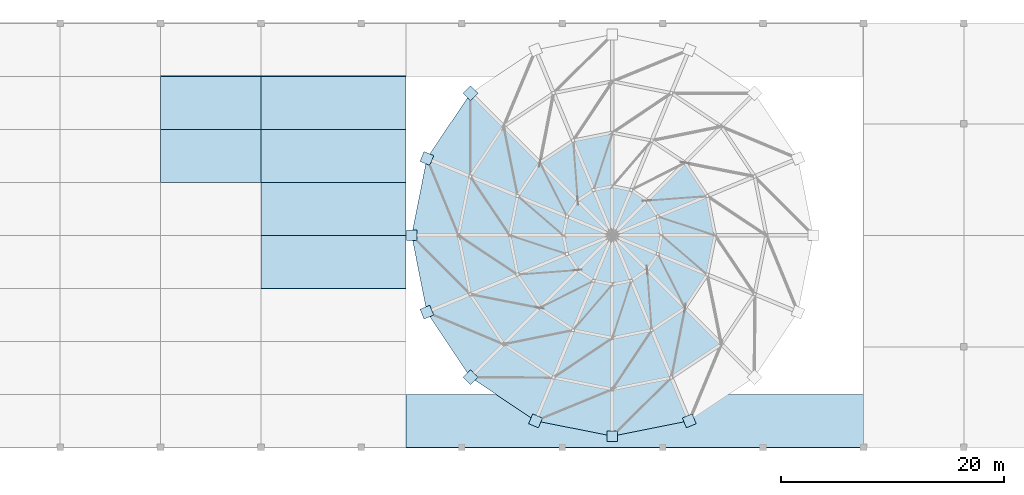
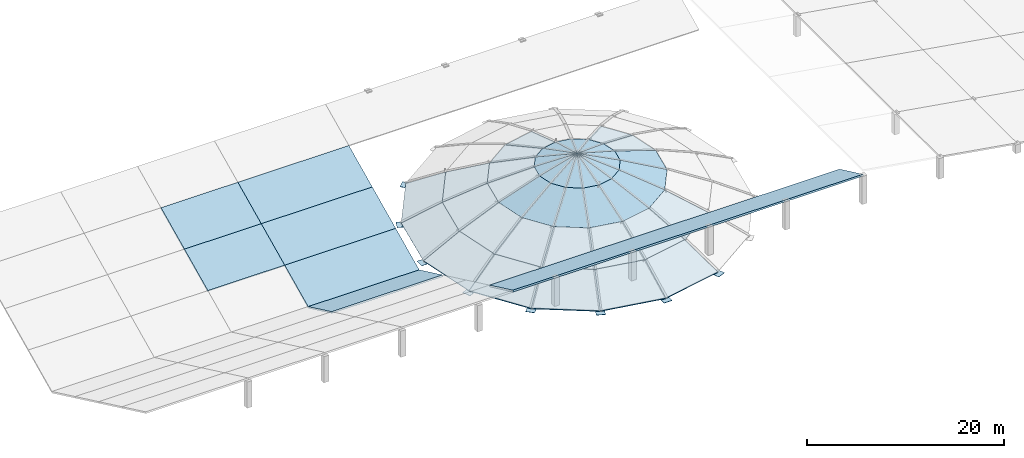
# One storey, part 4 of 7: 52 slabs, 8 plates.
"""IFC4 building model written with IfcOpenShell, lengths in metres."""

import ifcopenshell
import ifcopenshell.guid

model = None  # the IFC model being written
_history = None  # IfcOwnerHistory: only IFC2X3 demands one
_inside = {}  # id of a spatial element -> (the spatial element, [elements in it])
_under = {}  # id of a project, library or spatial element -> (it, [spatial elements below it])
_declared = {}  # id of a project -> (the project, [libraries it declares])
_typed = {}  # id of a type object -> (the type object, [elements of that type])
_made_of = {}  # id of a material, layer set ... -> (it, [elements and type objects made of it])


def new_model(schema):
    """Start an empty IFC model of exactly this schema.

    Asked for "IFC4X3", IfcOpenShell would pick the latest addendum, in which some entities
    have other attributes; the version numbers below select the first issue.
    IFC2X3 requires an IfcOwnerHistory on every rooted entity: one is made here for all.
    """
    global model, _history
    if schema == "IFC4X3":
        model = ifcopenshell.file(schema_version=(4, 3, 0, 0))
    else:
        model = ifcopenshell.file(schema=schema)
    _inside.clear()
    _under.clear()
    _declared.clear()
    _typed.clear()
    _made_of.clear()
    _history = None
    if model.schema == "IFC2X3":
        org = make("IfcOrganization", Name="unknown")
        user = make(
            "IfcPersonAndOrganization",
            ThePerson=make("IfcPerson", FamilyName="unknown"),
            TheOrganization=org,
        )
        app = make(
            "IfcApplication",
            ApplicationDeveloper=org,
            Version="unknown",
            ApplicationFullName="unknown",
            ApplicationIdentifier="unknown",
        )
        _history = make(
            "IfcOwnerHistory",
            OwningUser=user,
            OwningApplication=app,
            ChangeAction="ADDED",
            CreationDate=0,
        )
    return model


def make(cls, **values):
    """One entity of the class cls with the attributes given. An attribute that is None is left unset."""
    return model.create_entity(
        cls, **{name: value for name, value in values.items() if value is not None}
    )


def rooted(cls, **values):
    """An entity with a GlobalId (a new one), such as an element, a storey or a relation."""
    return make(cls, GlobalId=ifcopenshell.guid.new(), OwnerHistory=_history, **values)


def si_unit(unit_type, name, prefix=None):
    """IfcSIUnit, for example si_unit("LENGTHUNIT", "METRE", prefix="MILLI")."""
    return make("IfcSIUnit", UnitType=unit_type, Prefix=prefix, Name=name)


def assignment(units):
    """IfcUnitAssignment: the units of a project."""
    return None if units is None else make("IfcUnitAssignment", Units=units)


def point(xyz):
    """IfcCartesianPoint."""
    return None if xyz is None else make("IfcCartesianPoint", Coordinates=xyz)


def direction(xyz):
    """IfcDirection."""
    return None if xyz is None else make("IfcDirection", DirectionRatios=xyz)


def frame(location, z_axis=None, x_axis=None):
    """IfcAxis2Placement3D, a coordinate frame: its origin and axes. An axis left out is left unset."""
    return make(
        "IfcAxis2Placement3D",
        Location=point(location),
        Axis=direction(z_axis),
        RefDirection=direction(x_axis),
    )


def frame_2d(location, x_axis=None):
    """IfcAxis2Placement2D, a coordinate frame in the plane: its origin and x axis."""
    return make(
        "IfcAxis2Placement2D", Location=point(location), RefDirection=direction(x_axis)
    )


def origin():
    """The frame at (0, 0, 0) with its axes left unset."""
    return frame((0.0, 0.0, 0.0))


def origin_2d():
    """The frame at (0, 0) in the plane with its x axis left unset."""
    return frame_2d((0.0, 0.0))


def place(relative_to, where):
    """IfcLocalPlacement: puts the frame where relative to a parent placement (None: the world)."""
    return make(
        "IfcLocalPlacement", PlacementRelTo=relative_to, RelativePlacement=where
    )


def context(
    kind, dimensions, precision=None, world=None, true_north=None, identifier=None
):
    """IfcGeometricRepresentationContext, for example the 3D "Model" context."""
    return make(
        "IfcGeometricRepresentationContext",
        ContextIdentifier=identifier,
        ContextType=kind,
        CoordinateSpaceDimension=dimensions,
        Precision=precision,
        WorldCoordinateSystem=world,
        TrueNorth=true_north,
    )


def subcontext(parent, identifier, kind, view, scale=None):
    """IfcGeometricRepresentationSubContext, for example "Body" below "Model"."""
    return make(
        "IfcGeometricRepresentationSubContext",
        ContextIdentifier=identifier,
        ContextType=kind,
        ParentContext=parent,
        TargetScale=scale,
        TargetView=view,
    )


def project(units=None, contexts=None):
    """IfcProject with its units and contexts."""
    return rooted(
        "IfcProject",
        Name="project",
        RepresentationContexts=contexts,
        UnitsInContext=assignment(units),
    )


def spatial(cls, under=None, at=None, **own):
    """A site, building, storey or space (cls), placed at a placement, below another one or the project."""
    s = rooted(cls, ObjectPlacement=at, **own)
    if under is not None:
        _under.setdefault(under.id(), (under, []))[1].append(s)
    return s


def polyline(points):
    """IfcPolyline through the points."""
    return make("IfcPolyline", Points=[point(p) for p in points])


def profile(cls, at=None, kind="AREA", **sizes):
    """A parametric profile (cls). Its sizes go by their IFC names, for example OverallWidth=200.0."""
    return make(cls, ProfileType=kind, Position=at, **sizes)


def rectangle(**sizes):
    """IfcRectangleProfileDef."""
    return profile("IfcRectangleProfileDef", **sizes)


def outline(outer, holes=None, kind="AREA"):
    """IfcArbitraryClosedProfileDef: a profile drawn as a closed curve; with holes, ...WithVoids."""
    if holes is None:
        return make("IfcArbitraryClosedProfileDef", ProfileType=kind, OuterCurve=outer)
    return make(
        "IfcArbitraryProfileDefWithVoids",
        ProfileType=kind,
        OuterCurve=outer,
        InnerCurves=holes,
    )


def extrude(swept, where, along, depth):
    """IfcExtrudedAreaSolid: the profile swept, set in the frame where, extruded along a direction by depth."""
    return make(
        "IfcExtrudedAreaSolid",
        SweptArea=swept,
        Position=where,
        ExtrudedDirection=direction(along),
        Depth=depth,
    )


def shape(context_of_items, identifier, shape_type, items):
    """IfcShapeRepresentation: the items that make up one representation, for example the "Body"."""
    return make(
        "IfcShapeRepresentation",
        ContextOfItems=context_of_items,
        RepresentationIdentifier=identifier,
        RepresentationType=shape_type,
        Items=items,
    )


def material(Name=None, Category=None):
    """IfcMaterial."""
    return make("IfcMaterial", Name=Name, Category=Category)


def layer(
    of_material, thickness, ventilated=None, Name=None, Category=None, Priority=None
):
    """IfcMaterialLayer: one layer of a wall or slab, of a material (None: an air gap)."""
    return make(
        "IfcMaterialLayer",
        Material=of_material,
        LayerThickness=thickness,
        IsVentilated=ventilated,
        Name=Name,
        Category=Category,
        Priority=Priority,
    )


def layer_set(layers, Name=None):
    """IfcMaterialLayerSet."""
    return make("IfcMaterialLayerSet", MaterialLayers=layers, LayerSetName=Name)


def made_of(thing, what):
    """Note that an element or type object is made of a material, layer set ...; save() writes the relation."""
    if what is not None:
        _made_of.setdefault(what.id(), (what, []))[1].append(thing)
    return thing


def type_object(cls, material=None, **own):
    """A type object (cls), such as IfcWallType, which elements share."""
    return made_of(rooted(cls, **own), material)


def element(
    cls,
    number,
    at=None,
    inside=None,
    cuts=None,
    type_object=None,
    material=None,
    context=None,
    identifier="Body",
    shape_type=None,
    held_by="IfcProductDefinitionShape",
    body=None,
    shapes=None,
    **own,
):
    """One element of the class cls, such as IfcWall. Its Tag is "e" and its number.

    at: its placement. inside: the storey or other place that contains it. cuts: it is an
    opening in that element (IfcRelVoidsElement). A single representation is given by context,
    identifier, shape_type and body (its items); several are given by shapes. held_by: the class
    of the entity that holds the representations. save() writes the other relations.
    """
    e = rooted(cls, Tag="e%d" % number, ObjectPlacement=at, **own)
    if body is not None:
        shapes = [shape(context, identifier, shape_type, body)]
    if shapes is not None:
        e.Representation = make(held_by, Representations=shapes)
    if inside is not None:
        _inside.setdefault(inside.id(), (inside, []))[1].append(e)
    if cuts is not None:
        rooted(
            "IfcRelVoidsElement", RelatingBuildingElement=cuts, RelatedOpeningElement=e
        )
    if type_object is not None:
        _typed.setdefault(type_object.id(), (type_object, []))[1].append(e)
    return made_of(e, material)


def aggregate(whole, parts):
    """IfcRelAggregates: a whole, such as a stair, and the parts it consists of."""
    return rooted("IfcRelAggregates", RelatingObject=whole, RelatedObjects=parts)


def save(model, path):
    """Write the relations noted so far, then the file.

    IfcRelAggregates (storeys below a building ...), IfcRelContainedInSpatialStructure (elements
    in a storey), IfcRelDefinesByType, IfcRelAssociatesMaterial and IfcRelDeclares: one each for
    every whole, place, type object, material and project.
    """
    for whole, parts in _under.values():
        aggregate(whole, parts)
    for where, things in _inside.values():
        rooted(
            "IfcRelContainedInSpatialStructure",
            RelatedElements=things,
            RelatingStructure=where,
        )
    for kind, things in _typed.values():
        rooted("IfcRelDefinesByType", RelatedObjects=things, RelatingType=kind)
    for what, things in _made_of.values():
        rooted("IfcRelAssociatesMaterial", RelatedObjects=things, RelatingMaterial=what)
    for by, libraries in _declared.values():
        rooted("IfcRelDeclares", RelatingContext=by, RelatedDefinitions=libraries)
    model.write(path)


model = new_model("IFC4")

# Units and contexts
model_context = context("Model", 3, precision=1e-05, world=origin(), true_north=direction((0.0, 1.0)))
body_context = subcontext(model_context, "Body", "Model", "MODEL_VIEW")
ifc_project = project(units=[si_unit("LENGTHUNIT", "METRE"), si_unit("AREAUNIT", "SQUARE_METRE"), si_unit("VOLUMEUNIT", "CUBIC_METRE"), si_unit("PLANEANGLEUNIT", "RADIAN"), si_unit("MASSUNIT", "GRAM", prefix="KILO")], contexts=[model_context])

# Site, building, storey
site_placement = place(None, origin())
site = spatial("IfcSite", under=ifc_project, at=site_placement, CompositionType="ELEMENT")
building_placement = place(site_placement, origin())
building = spatial("IfcBuilding", under=site, at=building_placement, Name="Miravela Opera House", CompositionType="ELEMENT")
storey_placement = place(building_placement, frame((0.0, 0.0, 30.760009765625)))
storey = spatial("IfcBuildingStorey", under=building, at=storey_placement, Name="RF", CompositionType="ELEMENT", Elevation=30.760009765625)

# Plates
ifc_material_1 = material(Name="Structural steel ASTM A572 Gr. 50", Category="steel")
ifc_layer_1 = layer(ifc_material_1, 0.031982421875)
ifc_layer_set_1 = layer_set([ifc_layer_1])
plate_type = type_object("IfcPlateType", Name="STR-PL-BASE-950X950X32", PredefinedType="USERDEFINED", material=ifc_layer_set_1)
for number, where, z_axis, x_axis, name in (
    (1, (63.772216796875, 68.727783203125, -4.755859375), (0.0, 0.0, 1.0), (-0.707106781187, 0.707106781187, 0.0), "Dome Radial Rib Shoe Base Plate 07"),
    (2, (59.8701171875, 62.88818359375, -4.755859375), (0.0, 0.0, 1.0), (-0.923879532511, 0.382683432365, 0.0), "Dome Radial Rib Shoe Base Plate 08"),
    (3, (58.5, 56.0, -4.755859375), (0.0, 0.0, 1.0), (-1.0, 0.0, 0.0), "Dome Radial Rib Shoe Base Plate 09"),
    (4, (59.8701171875, 49.11181640625, -4.755859375), (0.0, 0.0, 1.0), (-0.923879532511, -0.382683432365, 0.0), "Dome Radial Rib Shoe Base Plate 10"),
    (5, (63.772216796875, 43.272216796875, -4.755859375), (0.0, 0.0, 1.0), (-0.707106781187, -0.707106781187, 0.0), "Dome Radial Rib Shoe Base Plate 11"),
    (6, (69.61181640625, 39.3701171875, -4.755859375), (0.0, 0.0, 1.0), (-0.382683432365, -0.923879532511, 0.0), "Dome Radial Rib Shoe Base Plate 12"),
    (7, (76.5, 38.0, -4.755859375), (0.0, 0.0, 1.0), (0.0, -1.0, 0.0), "Dome Radial Rib Shoe Base Plate 13"),
    (8, (83.38818359375, 39.3701171875, -4.755859375), (0.0, 0.0, 1.0), (0.382683432365, -0.923879532511, 0.0), "Dome Radial Rib Shoe Base Plate 14"),
):
    element("IfcPlate", number, at=place(storey_placement, frame(where, z_axis=z_axis, x_axis=x_axis)), inside=storey, type_object=plate_type, Name=name, ObjectType="BASE PLATE", PredefinedType="USERDEFINED", context=body_context, shape_type="SweptSolid", body=[
        extrude(rectangle(XDim=0.949951171875, YDim=0.949951171875, at=origin_2d()), origin(), (0.0, 0.0, 1.0), 0.031982421875),
    ])

# Slabs
ifc_material_2 = material(Name="Concrete C40/50", Category="concrete")
ifc_layer_2 = layer(ifc_material_2, 0.179931640625)
ifc_layer_set_2 = layer_set([ifc_layer_2])
slab_type_1 = type_object("IfcSlabType", Name="STR-ROOF-DOME-180", PredefinedType="ROOF", material=ifc_layer_set_2)
slab_1_placement = place(storey_placement, frame((63.772216796875, 68.727783203125, -4.56005859375), z_axis=(-0.39169699026, 0.26173074797, 0.882083036561), x_axis=(-0.555588189725, -0.831457613722, -4.759863e-06)))
element("IfcSlab", 9, at=slab_1_placement, inside=storey, type_object=slab_type_1, Name="Dome Shell Roof Facet Ring 1 Sector 07", PredefinedType="ROOF", context=body_context, shape_type="SweptSolid", body=[
    extrude(outline(polyline([(0.0, 0.0), (7.023340014399192, 0.0), (6.203741355347861, 4.669940394733152), (0.8192462847606585, 4.669815027829243), (0.0, 0.0)])), origin(), (0.0, 0.0, -1.0), 0.179931640625),
])
slab_2_placement = place(storey_placement, frame((59.8701171875, 62.88818359375, -4.56005859375), z_axis=(-0.462034391653, 0.091906329486, 0.882086984106), x_axis=(-0.195088262972, -0.980785689965, 3.316993e-06)))
element("IfcSlab", 10, at=slab_2_placement, inside=storey, type_object=slab_type_1, Name="Dome Shell Roof Facet Ring 1 Sector 08", PredefinedType="ROOF", context=body_context, shape_type="SweptSolid", body=[
    extrude(outline(polyline([(0.0, 0.0), (7.023125680777193, -2.220446049250313e-16), (6.203771799313913, 4.669907303255811), (0.8192893639634973, 4.669994667139817), (0.0, 0.0)])), origin(), (0.0, 0.0, -1.0), 0.179931640625),
])
slab_3_placement = place(storey_placement, frame((58.5, 56.0, -4.56005859375), z_axis=(-0.462034391653, -0.091906329486, 0.882086984106), x_axis=(0.195088262972, -0.980785689965, -3.316993e-06)))
element("IfcSlab", 11, at=slab_3_placement, inside=storey, type_object=slab_type_1, Name="Dome Shell Roof Facet Ring 1 Sector 09", PredefinedType="ROOF", context=body_context, shape_type="SweptSolid", body=[
    extrude(outline(polyline([(0.0, 0.0), (7.023125680777193, 2.220446049250313e-16), (6.203836316813696, 4.669994667139818), (0.8193538814632796, 4.669907303255811), (0.0, 0.0)])), origin(), (0.0, 0.0, -1.0), 0.179931640625),
])
slab_4_placement = place(storey_placement, frame((59.8701171875, 49.11181640625, -4.56005859375), z_axis=(-0.39169699026, -0.26173074797, 0.882083036561), x_axis=(0.555588189725, -0.831457613722, 4.759863e-06)))
element("IfcSlab", 12, at=slab_4_placement, inside=storey, type_object=slab_type_1, Name="Dome Shell Roof Facet Ring 1 Sector 10", PredefinedType="ROOF", context=body_context, shape_type="SweptSolid", body=[
    extrude(outline(polyline([(0.0, 0.0), (7.023340014399192, 0.0), (6.204093729638533, 4.669815027829243), (0.8195986590513307, 4.669940394733152), (0.0, 0.0)])), origin(), (0.0, 0.0, -1.0), 0.179931640625),
])
slab_5_placement = place(storey_placement, frame((63.772216796875, 43.272216796875, -4.56005859375), z_axis=(-0.26173074797, -0.39169699026, 0.882083036561), x_axis=(0.831457613722, -0.555588189725, -4.759863e-06)))
element("IfcSlab", 13, at=slab_5_placement, inside=storey, type_object=slab_type_1, Name="Dome Shell Roof Facet Ring 1 Sector 11", PredefinedType="ROOF", context=body_context, shape_type="SweptSolid", body=[
    extrude(outline(polyline([(0.0, 0.0), (7.023340014399192, 0.0), (6.203741355347861, 4.669940394733152), (0.8192462847606585, 4.669815027829243), (0.0, 0.0)])), origin(), (0.0, 0.0, -1.0), 0.179931640625),
])
slab_6_placement = place(storey_placement, frame((69.61181640625, 39.3701171875, -4.56005859375), z_axis=(-0.091906329486, -0.462034391653, 0.882086984106), x_axis=(0.980785689965, -0.195088262972, 3.316993e-06)))
element("IfcSlab", 14, at=slab_6_placement, inside=storey, type_object=slab_type_1, Name="Dome Shell Roof Facet Ring 1 Sector 12", PredefinedType="ROOF", context=body_context, shape_type="SweptSolid", body=[
    extrude(outline(polyline([(0.0, 0.0), (7.023125680777193, -2.220446049250313e-16), (6.203771799313913, 4.669907303255811), (0.8192893639634973, 4.669994667139817), (0.0, 0.0)])), origin(), (0.0, 0.0, -1.0), 0.179931640625),
])
slab_7_placement = place(storey_placement, frame((76.5, 38.0, -4.56005859375), z_axis=(0.091906329486, -0.462034391653, 0.882086984106), x_axis=(0.980785689965, 0.195088262972, -3.316993e-06)))
element("IfcSlab", 15, at=slab_7_placement, inside=storey, type_object=slab_type_1, Name="Dome Shell Roof Facet Ring 1 Sector 13", PredefinedType="ROOF", context=body_context, shape_type="SweptSolid", body=[
    extrude(outline(polyline([(0.0, 0.0), (7.023125680777193, 2.220446049250313e-16), (6.203836316813696, 4.669994667139818), (0.8193538814632796, 4.669907303255811), (0.0, 0.0)])), origin(), (0.0, 0.0, -1.0), 0.179931640625),
])
slab_8_placement = place(storey_placement, frame((66.741943359375, 65.758056640625, -2.360107421875), z_axis=(-0.329911320057, 0.22044462187, 0.917912136093), x_axis=(-0.555570003077, -0.831469765933, 4.581101e-06)))
element("IfcSlab", 16, at=slab_8_placement, inside=storey, type_object=slab_type_1, Name="Dome Shell Roof Facet Ring 2 Sector 07", PredefinedType="ROOF", context=body_context, shape_type="SweptSolid", body=[
    extrude(outline(polyline([(0.0, 0.0), (5.384495072112978, -4.440892098500626e-16), (4.487065033696118, 4.9149567405097745), (0.8974241050676467, 4.915060352174467), (0.0, 0.0)])), origin(), (0.0, 0.0, -1.0), 0.179931640625),
])
slab_9_placement = place(storey_placement, frame((63.75048828125, 61.281005859375, -2.360107421875), z_axis=(-0.389155555046, 0.077405816189, 0.917914099247), x_axis=(-0.195101546297, -0.980783047662, -7.122923e-06)))
element("IfcSlab", 17, at=slab_9_placement, inside=storey, type_object=slab_type_1, Name="Dome Shell Roof Facet Ring 2 Sector 08", PredefinedType="ROOF", context=body_context, shape_type="SweptSolid", body=[
    extrude(outline(polyline([(0.0, 0.0), (5.384482435961812, -1.1102230246251565e-16), (4.486982379017055, 4.915145353900742), (0.8972793601894004, 4.91498425060445), (0.0, 0.0)])), origin(), (0.0, 0.0, -1.0), 0.179931640625),
])
slab_10_placement = place(storey_placement, frame((62.699951171875, 56.0, -2.360107421875), z_axis=(-0.389155555046, -0.077405816189, 0.917914099247), x_axis=(0.195101546297, -0.980783047662, 7.122923e-06)))
element("IfcSlab", 18, at=slab_10_placement, inside=storey, type_object=slab_type_1, Name="Dome Shell Roof Facet Ring 2 Sector 09", PredefinedType="ROOF", context=body_context, shape_type="SweptSolid", body=[
    extrude(outline(polyline([(0.0, 0.0), (5.384482435961812, 1.1102230246251565e-16), (4.487203075772411, 4.91498425060445), (0.8975000569447559, 4.915145353900743), (0.0, 0.0)])), origin(), (0.0, 0.0, -1.0), 0.179931640625),
])
slab_11_placement = place(storey_placement, frame((63.75048828125, 50.718994140625, -2.360107421875), z_axis=(-0.329911320057, -0.22044462187, 0.917912136093), x_axis=(0.555570003077, -0.831469765933, -4.581101e-06)))
element("IfcSlab", 19, at=slab_11_placement, inside=storey, type_object=slab_type_1, Name="Dome Shell Roof Facet Ring 2 Sector 10", PredefinedType="ROOF", context=body_context, shape_type="SweptSolid", body=[
    extrude(outline(polyline([(0.0, 0.0), (5.384495072112978, 4.440892098500626e-16), (4.487070967045331, 4.915060352174468), (0.8974300384168593, 4.9149567405097745), (0.0, 0.0)])), origin(), (0.0, 0.0, -1.0), 0.179931640625),
])
slab_12_placement = place(storey_placement, frame((66.741943359375, 46.241943359375, -2.360107421875), z_axis=(-0.22044462187, -0.329911320057, 0.917912136093), x_axis=(0.831469765933, -0.555570003077, 4.581101e-06)))
element("IfcSlab", 20, at=slab_12_placement, inside=storey, type_object=slab_type_1, Name="Dome Shell Roof Facet Ring 2 Sector 11", PredefinedType="ROOF", context=body_context, shape_type="SweptSolid", body=[
    extrude(outline(polyline([(0.0, 0.0), (5.384495072112978, -4.440892098500626e-16), (4.487065033696118, 4.9149567405097745), (0.8974241050676467, 4.915060352174467), (0.0, 0.0)])), origin(), (0.0, 0.0, -1.0), 0.179931640625),
])
slab_13_placement = place(storey_placement, frame((71.218994140625, 43.25048828125, -2.360107421875), z_axis=(-0.077405816189, -0.389155555046, 0.917914099247), x_axis=(0.980783047662, -0.195101546297, -7.122923e-06)))
element("IfcSlab", 21, at=slab_13_placement, inside=storey, type_object=slab_type_1, Name="Dome Shell Roof Facet Ring 2 Sector 12", PredefinedType="ROOF", context=body_context, shape_type="SweptSolid", body=[
    extrude(outline(polyline([(0.0, 0.0), (5.384482435961812, -1.1102230246251565e-16), (4.486982379017055, 4.915145353900742), (0.8972793601894004, 4.91498425060445), (0.0, 0.0)])), origin(), (0.0, 0.0, -1.0), 0.179931640625),
])
slab_14_placement = place(storey_placement, frame((76.5, 42.199951171875, -2.360107421875), z_axis=(0.077405816189, -0.389155555046, 0.917914099247), x_axis=(0.980783047662, 0.195101546297, 7.122923e-06)))
element("IfcSlab", 22, at=slab_14_placement, inside=storey, type_object=slab_type_1, Name="Dome Shell Roof Facet Ring 2 Sector 13", PredefinedType="ROOF", context=body_context, shape_type="SweptSolid", body=[
    extrude(outline(polyline([(0.0, 0.0), (5.384482435961812, 1.1102230246251565e-16), (4.487203075772411, 4.91498425060445), (0.8975000569447559, 4.915145353900743), (0.0, 0.0)])), origin(), (0.0, 0.0, -1.0), 0.179931640625),
])
slab_15_placement = place(storey_placement, frame((81.781005859375, 43.25048828125, -2.360107421875), z_axis=(0.22044462187, -0.329911320057, 0.917912136093), x_axis=(0.831469765933, 0.555570003077, -4.581101e-06)))
element("IfcSlab", 23, at=slab_15_placement, inside=storey, type_object=slab_type_1, Name="Dome Shell Roof Facet Ring 2 Sector 14", PredefinedType="ROOF", context=body_context, shape_type="SweptSolid", body=[
    extrude(outline(polyline([(0.0, 0.0), (5.384495072112978, 4.440892098500626e-16), (4.487070967045331, 4.915060352174468), (0.8974300384168593, 4.9149567405097745), (0.0, 0.0)])), origin(), (0.0, 0.0, -1.0), 0.179931640625),
])
slab_16_placement = place(storey_placement, frame((85.699951171875, 56.0, -0.409912109375), z_axis=(0.315582003016, 0.062752233361, 0.946821079497), x_axis=(-0.195053624532, 0.980792579232, 8.96549e-06)))
element("IfcSlab", 24, at=slab_16_placement, inside=storey, type_object=slab_type_1, Name="Dome Shell Roof Facet Ring 3 Sector 01", PredefinedType="ROOF", context=body_context, shape_type="SweptSolid", body=[
    extrude(outline(polyline([(0.0, 0.0), (3.589703022524995, 0.0), (2.653064697501357, 4.9721129359574885), (0.936281265324491, 4.972260795140259), (0.0, 0.0)])), origin(), (0.0, 0.0, -1.0), 0.179931640625),
])
slab_17_placement = place(storey_placement, frame((84.999755859375, 59.520751953125, -0.409912109375), z_axis=(0.267532662497, 0.178769612235, 0.946819782344), x_axis=(-0.555594214499, 0.831453587889, 1.018118e-06)))
element("IfcSlab", 25, at=slab_17_placement, inside=storey, type_object=slab_type_1, Name="Dome Shell Roof Facet Ring 3 Sector 02", PredefinedType="ROOF", context=body_context, shape_type="SweptSolid", body=[
    extrude(outline(polyline([(0.0, 0.0), (3.589640930222311, -4.440892098500626e-16), (2.653363992445068, 4.972119479122747), (0.9365144503461724, 4.972136269779035), (0.0, 0.0)])), origin(), (0.0, 0.0, -1.0), 0.179931640625),
])
slab_18_placement = place(storey_placement, frame((76.5, 65.199951171875, -0.409912109375), z_axis=(-0.062752233361, 0.315582003016, 0.946821079497), x_axis=(-0.980792579232, -0.195053624532, 8.96549e-06)))
element("IfcSlab", 26, at=slab_18_placement, inside=storey, type_object=slab_type_1, Name="Dome Shell Roof Facet Ring 3 Sector 05", PredefinedType="ROOF", context=body_context, shape_type="SweptSolid", body=[
    extrude(outline(polyline([(0.0, 0.0), (3.589703022524995, 0.0), (2.653064697501357, 4.9721129359574885), (0.936281265324491, 4.972260795140259), (0.0, 0.0)])), origin(), (0.0, 0.0, -1.0), 0.179931640625),
])
slab_19_placement = place(storey_placement, frame((72.979248046875, 64.499755859375, -0.409912109375), z_axis=(-0.178769612235, 0.267532662497, 0.946819782344), x_axis=(-0.831453587889, -0.555594214499, 1.018118e-06)))
element("IfcSlab", 27, at=slab_19_placement, inside=storey, type_object=slab_type_1, Name="Dome Shell Roof Facet Ring 3 Sector 06", PredefinedType="ROOF", context=body_context, shape_type="SweptSolid", body=[
    extrude(outline(polyline([(0.0, 0.0), (3.589640930222311, -4.440892098500626e-16), (2.653363992445068, 4.972119479122747), (0.9365144503461724, 4.972136269779035), (0.0, 0.0)])), origin(), (0.0, 0.0, -1.0), 0.179931640625),
])
slab_20_placement = place(storey_placement, frame((69.99462890625, 62.50537109375, -0.409912109375), z_axis=(-0.267532662497, 0.178769612235, 0.946819782344), x_axis=(-0.555594214499, -0.831453587889, -1.018118e-06)))
element("IfcSlab", 28, at=slab_20_placement, inside=storey, type_object=slab_type_1, Name="Dome Shell Roof Facet Ring 3 Sector 07", PredefinedType="ROOF", context=body_context, shape_type="SweptSolid", body=[
    extrude(outline(polyline([(0.0, 0.0), (3.589640930222311, 4.440892098500626e-16), (2.653126479876139, 4.9721362697790354), (0.9362769377772429, 4.972119479122748), (0.0, 0.0)])), origin(), (0.0, 0.0, -1.0), 0.179931640625),
])
slab_21_placement = place(storey_placement, frame((68.000244140625, 59.520751953125, -0.409912109375), z_axis=(-0.315582003016, 0.062752233361, 0.946821079497), x_axis=(-0.195053624532, -0.980792579232, -8.96549e-06)))
element("IfcSlab", 29, at=slab_21_placement, inside=storey, type_object=slab_type_1, Name="Dome Shell Roof Facet Ring 3 Sector 08", PredefinedType="ROOF", context=body_context, shape_type="SweptSolid", body=[
    extrude(outline(polyline([(0.0, 0.0), (3.589703022524995, 0.0), (2.653421757200504, 4.972260795140259), (0.9366383250236381, 4.9721129359574885), (0.0, 0.0)])), origin(), (0.0, 0.0, -1.0), 0.179931640625),
])
slab_22_placement = place(storey_placement, frame((67.300048828125, 56.0, -0.409912109375), z_axis=(-0.315582003016, -0.062752233361, 0.946821079497), x_axis=(0.195053624532, -0.980792579232, 8.96549e-06)))
element("IfcSlab", 30, at=slab_22_placement, inside=storey, type_object=slab_type_1, Name="Dome Shell Roof Facet Ring 3 Sector 09", PredefinedType="ROOF", context=body_context, shape_type="SweptSolid", body=[
    extrude(outline(polyline([(0.0, 0.0), (3.589703022524995, 0.0), (2.653064697501357, 4.9721129359574885), (0.936281265324491, 4.972260795140259), (0.0, 0.0)])), origin(), (0.0, 0.0, -1.0), 0.179931640625),
])
slab_23_placement = place(storey_placement, frame((68.000244140625, 52.479248046875, -0.409912109375), z_axis=(-0.267532662497, -0.178769612235, 0.946819782344), x_axis=(0.555594214499, -0.831453587889, 1.018118e-06)))
element("IfcSlab", 31, at=slab_23_placement, inside=storey, type_object=slab_type_1, Name="Dome Shell Roof Facet Ring 3 Sector 10", PredefinedType="ROOF", context=body_context, shape_type="SweptSolid", body=[
    extrude(outline(polyline([(0.0, 0.0), (3.589640930222311, -4.440892098500626e-16), (2.653363992445068, 4.972119479122747), (0.9365144503461724, 4.972136269779035), (0.0, 0.0)])), origin(), (0.0, 0.0, -1.0), 0.179931640625),
])
slab_24_placement = place(storey_placement, frame((69.99462890625, 49.49462890625, -0.409912109375), z_axis=(-0.178769612235, -0.267532662497, 0.946819782344), x_axis=(0.831453587889, -0.555594214499, -1.018118e-06)))
element("IfcSlab", 32, at=slab_24_placement, inside=storey, type_object=slab_type_1, Name="Dome Shell Roof Facet Ring 3 Sector 11", PredefinedType="ROOF", context=body_context, shape_type="SweptSolid", body=[
    extrude(outline(polyline([(0.0, 0.0), (3.589640930222311, 4.440892098500626e-16), (2.653126479876139, 4.9721362697790354), (0.9362769377772429, 4.972119479122748), (0.0, 0.0)])), origin(), (0.0, 0.0, -1.0), 0.179931640625),
])
slab_25_placement = place(storey_placement, frame((72.979248046875, 47.500244140625, -0.409912109375), z_axis=(-0.062752233361, -0.315582003016, 0.946821079497), x_axis=(0.980792579232, -0.195053624532, -8.96549e-06)))
element("IfcSlab", 33, at=slab_25_placement, inside=storey, type_object=slab_type_1, Name="Dome Shell Roof Facet Ring 3 Sector 12", PredefinedType="ROOF", context=body_context, shape_type="SweptSolid", body=[
    extrude(outline(polyline([(0.0, 0.0), (3.589703022524995, 0.0), (2.653421757200504, 4.972260795140259), (0.9366383250236381, 4.9721129359574885), (0.0, 0.0)])), origin(), (0.0, 0.0, -1.0), 0.179931640625),
])
slab_26_placement = place(storey_placement, frame((76.5, 46.800048828125, -0.409912109375), z_axis=(0.062752233361, -0.315582003016, 0.946821079497), x_axis=(0.980792579232, 0.195053624532, 8.96549e-06)))
element("IfcSlab", 34, at=slab_26_placement, inside=storey, type_object=slab_type_1, Name="Dome Shell Roof Facet Ring 3 Sector 13", PredefinedType="ROOF", context=body_context, shape_type="SweptSolid", body=[
    extrude(outline(polyline([(0.0, 0.0), (3.589703022524995, 0.0), (2.653064697501357, 4.9721129359574885), (0.936281265324491, 4.972260795140259), (0.0, 0.0)])), origin(), (0.0, 0.0, -1.0), 0.179931640625),
])
slab_27_placement = place(storey_placement, frame((80.020751953125, 47.500244140625, -0.409912109375), z_axis=(0.178769612235, -0.267532662497, 0.946819782344), x_axis=(0.831453587889, 0.555594214499, 1.018118e-06)))
element("IfcSlab", 35, at=slab_27_placement, inside=storey, type_object=slab_type_1, Name="Dome Shell Roof Facet Ring 3 Sector 14", PredefinedType="ROOF", context=body_context, shape_type="SweptSolid", body=[
    extrude(outline(polyline([(0.0, 0.0), (3.589640930222311, -4.440892098500626e-16), (2.653363992445068, 4.972119479122747), (0.9365144503461724, 4.972136269779035), (0.0, 0.0)])), origin(), (0.0, 0.0, -1.0), 0.179931640625),
])
slab_28_placement = place(storey_placement, frame((83.00537109375, 49.49462890625, -0.409912109375), z_axis=(0.267532662497, -0.178769612235, 0.946819782344), x_axis=(0.555594214499, 0.831453587889, -1.018118e-06)))
element("IfcSlab", 36, at=slab_28_placement, inside=storey, type_object=slab_type_1, Name="Dome Shell Roof Facet Ring 3 Sector 15", PredefinedType="ROOF", context=body_context, shape_type="SweptSolid", body=[
    extrude(outline(polyline([(0.0, 0.0), (3.589640930222311, 4.440892098500626e-16), (2.653126479876139, 4.9721362697790354), (0.9362769377772429, 4.972119479122748), (0.0, 0.0)])), origin(), (0.0, 0.0, -1.0), 0.179931640625),
])
slab_29_placement = place(storey_placement, frame((84.999755859375, 52.479248046875, -0.409912109375), z_axis=(0.315582003016, -0.062752233361, 0.946821079497), x_axis=(0.195053624532, 0.980792579232, -8.96549e-06)))
element("IfcSlab", 37, at=slab_29_placement, inside=storey, type_object=slab_type_1, Name="Dome Shell Roof Facet Ring 3 Sector 16", PredefinedType="ROOF", context=body_context, shape_type="SweptSolid", body=[
    extrude(outline(polyline([(0.0, 0.0), (3.589703022524995, 0.0), (2.653421757200504, 4.972260795140259), (0.9366383250236381, 4.9721129359574885), (0.0, 0.0)])), origin(), (0.0, 0.0, -1.0), 0.179931640625),
])
slab_30_placement = place(storey_placement, frame((80.89990234375, 56.0, 1.18994140625), z_axis=(0.272880355438, 0.054243724417, 0.960517532363), x_axis=(-0.194967396175, 0.980809723865, 0.0)))
element("IfcSlab", 38, at=slab_30_placement, inside=storey, type_object=slab_type_1, Name="Dome Shell Roof Facet Ring 4 Sector 01", PredefinedType="ROOF", context=body_context, shape_type="SweptSolid", body=[
    extrude(outline(polyline([(0.0, 0.0), (1.716783438880603, 0.0), (0.8578375033854391, 4.492856046249665), (0.0, 0.0)])), origin(), (0.0, 0.0, -1.0), 0.179931640625),
])
slab_31_placement = place(storey_placement, frame((80.565185546875, 57.683837890625, 1.18994140625), z_axis=(0.23132389774, 0.154571997344, 0.960519001359), x_axis=(-0.555585913872, 0.831459134478, 0.0)))
element("IfcSlab", 39, at=slab_31_placement, inside=storey, type_object=slab_type_1, Name="Dome Shell Roof Facet Ring 4 Sector 02", PredefinedType="ROOF", context=body_context, shape_type="SweptSolid", body=[
    extrude(outline(polyline([(0.0, 0.0), (1.7168495421853407, -1.1102230246251565e-16), (0.8585174319770386, 4.492937946535362), (0.0, 0.0)])), origin(), (0.0, 0.0, -1.0), 0.179931640625),
])
slab_32_placement = place(storey_placement, frame((79.611328125, 59.111328125, 1.18994140625), z_axis=(0.154571997344, 0.23132389774, 0.960519001359), x_axis=(-0.831459134478, 0.555585913872, 0.0)))
element("IfcSlab", 40, at=slab_32_placement, inside=storey, type_object=slab_type_1, Name="Dome Shell Roof Facet Ring 4 Sector 03", PredefinedType="ROOF", context=body_context, shape_type="SweptSolid", body=[
    extrude(outline(polyline([(0.0, 0.0), (1.7168495421853407, 1.1102230246251565e-16), (0.8583321102083021, 4.492937946535362), (0.0, 0.0)])), origin(), (0.0, 0.0, -1.0), 0.179931640625),
])
slab_33_placement = place(storey_placement, frame((78.183837890625, 60.065185546875, 1.18994140625), z_axis=(0.054243724417, 0.272880355438, 0.960517532363), x_axis=(-0.980809723865, 0.194967396175, 0.0)))
element("IfcSlab", 41, at=slab_33_placement, inside=storey, type_object=slab_type_1, Name="Dome Shell Roof Facet Ring 4 Sector 04", PredefinedType="ROOF", context=body_context, shape_type="SweptSolid", body=[
    extrude(outline(polyline([(0.0, 0.0), (1.716783438880603, 0.0), (0.858945935495164, 4.492856046249665), (0.0, 0.0)])), origin(), (0.0, 0.0, -1.0), 0.179931640625),
])
slab_34_placement = place(storey_placement, frame((76.5, 60.39990234375, 1.18994140625), z_axis=(-0.054243724417, 0.272880355438, 0.960517532363), x_axis=(-0.980809723865, -0.194967396175, 0.0)))
element("IfcSlab", 42, at=slab_34_placement, inside=storey, type_object=slab_type_1, Name="Dome Shell Roof Facet Ring 4 Sector 05", PredefinedType="ROOF", context=body_context, shape_type="SweptSolid", body=[
    extrude(outline(polyline([(0.0, 0.0), (1.716783438880603, 0.0), (0.8578375033854391, 4.492856046249665), (0.0, 0.0)])), origin(), (0.0, 0.0, -1.0), 0.179931640625),
])
slab_35_placement = place(storey_placement, frame((74.816162109375, 60.065185546875, 1.18994140625), z_axis=(-0.154571997344, 0.23132389774, 0.960519001359), x_axis=(-0.831459134478, -0.555585913872, 0.0)))
element("IfcSlab", 43, at=slab_35_placement, inside=storey, type_object=slab_type_1, Name="Dome Shell Roof Facet Ring 4 Sector 06", PredefinedType="ROOF", context=body_context, shape_type="SweptSolid", body=[
    extrude(outline(polyline([(0.0, 0.0), (1.7168495421853407, -1.1102230246251565e-16), (0.8585174319770386, 4.492937946535362), (0.0, 0.0)])), origin(), (0.0, 0.0, -1.0), 0.179931640625),
])
slab_36_placement = place(storey_placement, frame((73.388671875, 59.111328125, 1.18994140625), z_axis=(-0.23132389774, 0.154571997344, 0.960519001359), x_axis=(-0.555585913872, -0.831459134478, 0.0)))
element("IfcSlab", 44, at=slab_36_placement, inside=storey, type_object=slab_type_1, Name="Dome Shell Roof Facet Ring 4 Sector 07", PredefinedType="ROOF", context=body_context, shape_type="SweptSolid", body=[
    extrude(outline(polyline([(0.0, 0.0), (1.7168495421853407, 1.1102230246251565e-16), (0.8583321102083021, 4.492937946535362), (0.0, 0.0)])), origin(), (0.0, 0.0, -1.0), 0.179931640625),
])
slab_37_placement = place(storey_placement, frame((72.434814453125, 57.683837890625, 1.18994140625), z_axis=(-0.272880355438, 0.054243724417, 0.960517532363), x_axis=(-0.194967396175, -0.980809723865, 0.0)))
element("IfcSlab", 45, at=slab_37_placement, inside=storey, type_object=slab_type_1, Name="Dome Shell Roof Facet Ring 4 Sector 08", PredefinedType="ROOF", context=body_context, shape_type="SweptSolid", body=[
    extrude(outline(polyline([(0.0, 0.0), (1.716783438880603, 0.0), (0.858945935495164, 4.492856046249665), (0.0, 0.0)])), origin(), (0.0, 0.0, -1.0), 0.179931640625),
])
slab_38_placement = place(storey_placement, frame((72.10009765625, 56.0, 1.18994140625), z_axis=(-0.272880355438, -0.054243724417, 0.960517532363), x_axis=(0.194967396175, -0.980809723865, 0.0)))
element("IfcSlab", 46, at=slab_38_placement, inside=storey, type_object=slab_type_1, Name="Dome Shell Roof Facet Ring 4 Sector 09", PredefinedType="ROOF", context=body_context, shape_type="SweptSolid", body=[
    extrude(outline(polyline([(0.0, 0.0), (1.716783438880603, 0.0), (0.8578375033854391, 4.492856046249665), (0.0, 0.0)])), origin(), (0.0, 0.0, -1.0), 0.179931640625),
])
slab_39_placement = place(storey_placement, frame((72.434814453125, 54.316162109375, 1.18994140625), z_axis=(-0.23132389774, -0.154571997344, 0.960519001359), x_axis=(0.555585913872, -0.831459134478, 0.0)))
element("IfcSlab", 47, at=slab_39_placement, inside=storey, type_object=slab_type_1, Name="Dome Shell Roof Facet Ring 4 Sector 10", PredefinedType="ROOF", context=body_context, shape_type="SweptSolid", body=[
    extrude(outline(polyline([(0.0, 0.0), (1.7168495421853407, -1.1102230246251565e-16), (0.8585174319770386, 4.492937946535362), (0.0, 0.0)])), origin(), (0.0, 0.0, -1.0), 0.179931640625),
])
slab_40_placement = place(storey_placement, frame((73.388671875, 52.888671875, 1.18994140625), z_axis=(-0.154571997344, -0.23132389774, 0.960519001359), x_axis=(0.831459134478, -0.555585913872, 0.0)))
element("IfcSlab", 48, at=slab_40_placement, inside=storey, type_object=slab_type_1, Name="Dome Shell Roof Facet Ring 4 Sector 11", PredefinedType="ROOF", context=body_context, shape_type="SweptSolid", body=[
    extrude(outline(polyline([(0.0, 0.0), (1.7168495421853407, 1.1102230246251565e-16), (0.8583321102083021, 4.492937946535362), (0.0, 0.0)])), origin(), (0.0, 0.0, -1.0), 0.179931640625),
])
slab_41_placement = place(storey_placement, frame((74.816162109375, 51.934814453125, 1.18994140625), z_axis=(-0.054243724417, -0.272880355438, 0.960517532363), x_axis=(0.980809723865, -0.194967396175, 0.0)))
element("IfcSlab", 49, at=slab_41_placement, inside=storey, type_object=slab_type_1, Name="Dome Shell Roof Facet Ring 4 Sector 12", PredefinedType="ROOF", context=body_context, shape_type="SweptSolid", body=[
    extrude(outline(polyline([(0.0, 0.0), (1.716783438880603, 0.0), (0.858945935495164, 4.492856046249665), (0.0, 0.0)])), origin(), (0.0, 0.0, -1.0), 0.179931640625),
])
slab_42_placement = place(storey_placement, frame((76.5, 51.60009765625, 1.18994140625), z_axis=(0.054243724417, -0.272880355438, 0.960517532363), x_axis=(0.980809723865, 0.194967396175, 0.0)))
element("IfcSlab", 50, at=slab_42_placement, inside=storey, type_object=slab_type_1, Name="Dome Shell Roof Facet Ring 4 Sector 13", PredefinedType="ROOF", context=body_context, shape_type="SweptSolid", body=[
    extrude(outline(polyline([(0.0, 0.0), (1.716783438880603, 0.0), (0.8578375033854391, 4.492856046249665), (0.0, 0.0)])), origin(), (0.0, 0.0, -1.0), 0.179931640625),
])
slab_43_placement = place(storey_placement, frame((78.183837890625, 51.934814453125, 1.18994140625), z_axis=(0.154571997344, -0.23132389774, 0.960519001359), x_axis=(0.831459134478, 0.555585913872, 0.0)))
element("IfcSlab", 51, at=slab_43_placement, inside=storey, type_object=slab_type_1, Name="Dome Shell Roof Facet Ring 4 Sector 14", PredefinedType="ROOF", context=body_context, shape_type="SweptSolid", body=[
    extrude(outline(polyline([(0.0, 0.0), (1.7168495421853407, -1.1102230246251565e-16), (0.8585174319770386, 4.492937946535362), (0.0, 0.0)])), origin(), (0.0, 0.0, -1.0), 0.179931640625),
])
slab_44_placement = place(storey_placement, frame((79.611328125, 52.888671875, 1.18994140625), z_axis=(0.23132389774, -0.154571997344, 0.960519001359), x_axis=(0.555585913872, 0.831459134478, 0.0)))
element("IfcSlab", 52, at=slab_44_placement, inside=storey, type_object=slab_type_1, Name="Dome Shell Roof Facet Ring 4 Sector 15", PredefinedType="ROOF", context=body_context, shape_type="SweptSolid", body=[
    extrude(outline(polyline([(0.0, 0.0), (1.7168495421853407, 1.1102230246251565e-16), (0.8583321102083021, 4.492937946535362), (0.0, 0.0)])), origin(), (0.0, 0.0, -1.0), 0.179931640625),
])
slab_45_placement = place(storey_placement, frame((80.565185546875, 54.316162109375, 1.18994140625), z_axis=(0.272880355438, -0.054243724417, 0.960517532363), x_axis=(0.194967396175, 0.980809723865, 0.0)))
element("IfcSlab", 53, at=slab_45_placement, inside=storey, type_object=slab_type_1, Name="Dome Shell Roof Facet Ring 4 Sector 16", PredefinedType="ROOF", context=body_context, shape_type="SweptSolid", body=[
    extrude(outline(polyline([(0.0, 0.0), (1.716783438880603, 0.0), (0.858945935495164, 4.492856046249665), (0.0, 0.0)])), origin(), (0.0, 0.0, -1.0), 0.179931640625),
])
ifc_material_3 = material(Name="Concrete C35/45", Category="concrete")
ifc_layer_3 = layer(ifc_material_3, 0.18994140625)
ifc_layer_set_3 = layer_set([ifc_layer_3])
slab_type_2 = type_object("IfcSlabType", Name="STR-ROOF-VWRAP-190", PredefinedType="ROOF", material=ifc_layer_set_3)
for number, where, z_axis, x_axis, name in (
    (54, (45.0, 51.25, -3.25), (0.0, 0.428086344739, 0.903737838894), (1.0, 0.0, 0.0), "Auditorium V-Crest Roof Slab Bay 4.4"),
    (55, (45.0, 56.0, -5.5), (0.0, -0.428086344739, 0.903737838894), (1.0, 0.0, 0.0), "Auditorium V-Crest Roof Slab Bay 5.4"),
):
    element("IfcSlab", number, at=place(storey_placement, frame(where, z_axis=z_axis, x_axis=x_axis)), inside=storey, type_object=slab_type_2, Name=name, PredefinedType="ROOF", context=body_context, shape_type="SweptSolid", body=[
        extrude(outline(polyline([(0.0, 0.0), (13.0, 0.0), (13.0, 5.255949010407159), (0.0, 5.255949010407159), (0.0, 0.0)])), origin(), (0.0, 0.0, -1.0), 0.18994140625),
    ])
slab_46_placement = place(storey_placement, frame((36.0, 60.75, -3.25), z_axis=(0.0, -0.428086344739, 0.903737838894), x_axis=(1.0, 0.0, 0.0)))
element("IfcSlab", 56, at=slab_46_placement, inside=storey, type_object=slab_type_2, Name="Auditorium V-Crest Roof Slab Bay 6.3", PredefinedType="ROOF", context=body_context, shape_type="SweptSolid", body=[
    extrude(outline(polyline([(0.0, 0.0), (9.0, 0.0), (9.0, 5.25594901040716), (0.0, 5.25594901040716), (0.0, 0.0)])), origin(), (0.0, 0.0, -1.0), 0.18994140625),
])
slab_47_placement = place(storey_placement, frame((45.0, 60.75, -3.25), z_axis=(0.0, -0.428086344739, 0.903737838894), x_axis=(1.0, 0.0, 0.0)))
element("IfcSlab", 57, at=slab_47_placement, inside=storey, type_object=slab_type_2, Name="Auditorium V-Crest Roof Slab Bay 6.4", PredefinedType="ROOF", context=body_context, shape_type="SweptSolid", body=[
    extrude(outline(polyline([(0.0, 0.0), (13.0, 0.0), (13.0, 5.255949010407159), (0.0, 5.255949010407159), (0.0, 0.0)])), origin(), (0.0, 0.0, -1.0), 0.18994140625),
])
slab_48_placement = place(storey_placement, frame((36.0, 65.5, -1.0), z_axis=(0.0, -0.428086344739, 0.903737838894), x_axis=(1.0, 0.0, 0.0)))
element("IfcSlab", 58, at=slab_48_placement, inside=storey, type_object=slab_type_2, Name="Auditorium V-Crest Roof Slab Bay 7.3", PredefinedType="ROOF", context=body_context, shape_type="SweptSolid", body=[
    extrude(outline(polyline([(0.0, 0.0), (9.0, 0.0), (9.0, 5.25594901040716), (0.0, 5.25594901040716), (0.0, 0.0)])), origin(), (0.0, 0.0, -1.0), 0.18994140625),
])
slab_49_placement = place(storey_placement, frame((45.0, 65.5, -1.0), z_axis=(0.0, -0.428086344739, 0.903737838894), x_axis=(1.0, 0.0, 0.0)))
element("IfcSlab", 59, at=slab_49_placement, inside=storey, type_object=slab_type_2, Name="Auditorium V-Crest Roof Slab Bay 7.4", PredefinedType="ROOF", context=body_context, shape_type="SweptSolid", body=[
    extrude(outline(polyline([(0.0, 0.0), (13.0, 0.0), (13.0, 5.255949010407159), (0.0, 5.255949010407159), (0.0, 0.0)])), origin(), (0.0, 0.0, -1.0), 0.18994140625),
])
slab_50_placement = place(storey_placement, frame((58.0, 37.0, 3.5), z_axis=(0.0, 0.428086344739, 0.903737838894), x_axis=(1.0, 0.0, 0.0)))
element("IfcSlab", 60, at=slab_50_placement, inside=storey, type_object=slab_type_2, Name="Drum Flanking V-Roof Slab B1", PredefinedType="ROOF", context=body_context, shape_type="SweptSolid", body=[
    extrude(outline(polyline([(0.0, 0.0), (41.0, 0.0), (41.0, 5.25594901040716), (0.0, 5.25594901040716), (0.0, 0.0)])), origin(), (0.0, 0.0, -1.0), 0.18994140625),
])

save(model, "model.ifc")
